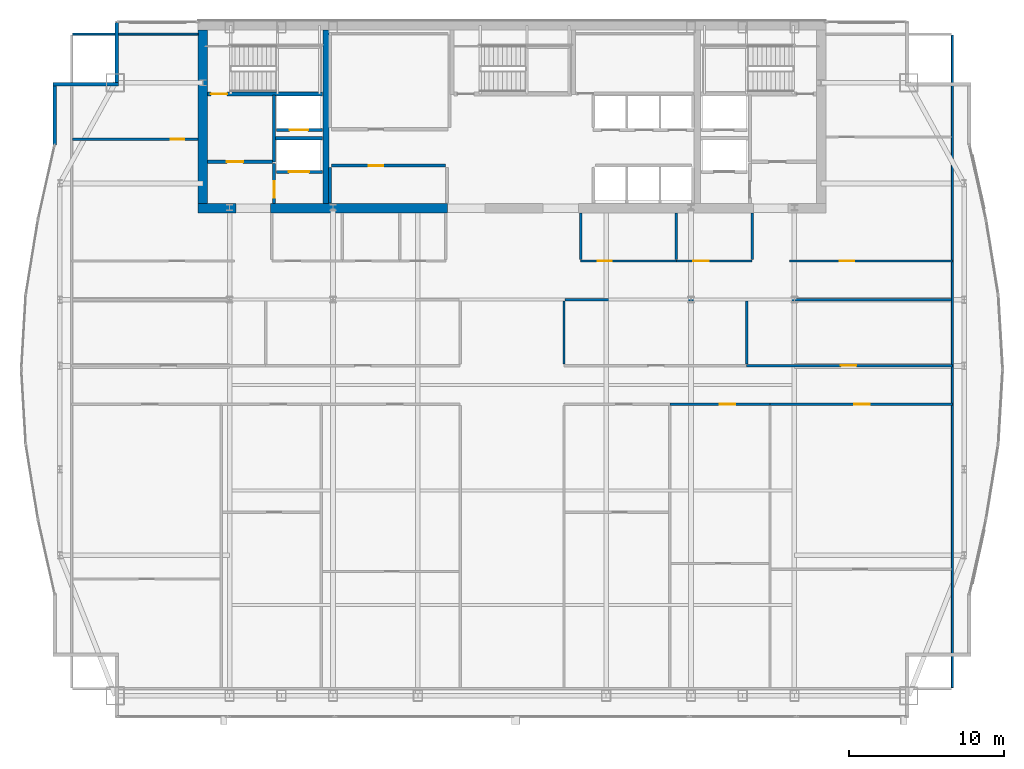
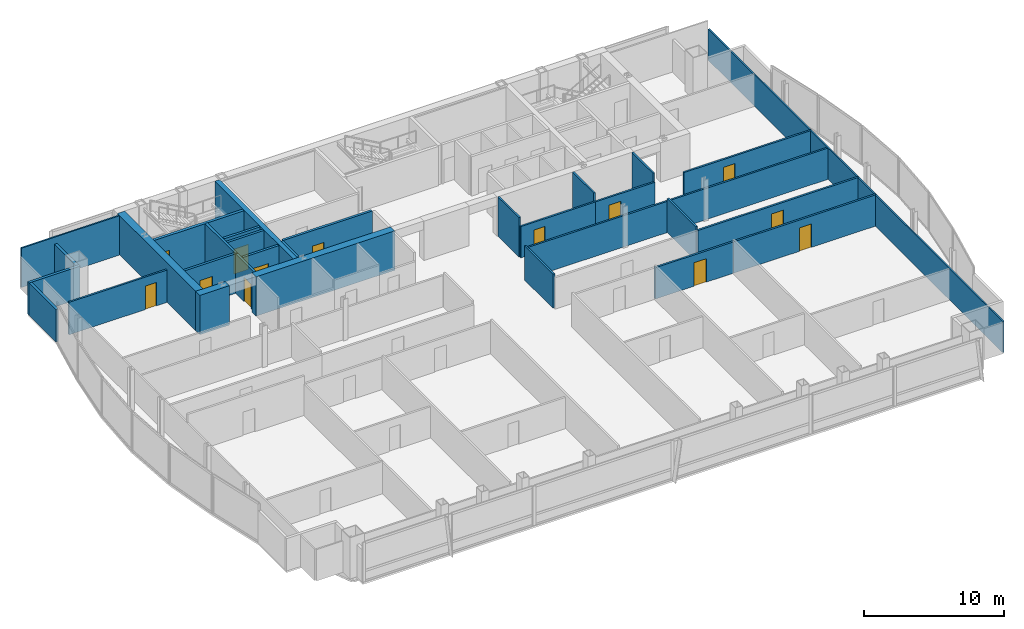
# One storey, part 26 of 30: 31 walls, 13 doors, 13 openings.
"""IFC4 building model written with IfcOpenShell, lengths in metres."""

from ifc_helpers import new_model, si_unit, direction, frame, frame_2d, origin, place, context, subcontext, project, spatial, rectangle, extrude, material, layer, layer_set, type_object, element, fill, save


model = new_model("IFC4")

# Units and contexts
model_context = context("Model", 3, precision=1e-05, world=origin(), true_north=direction((0.0, 1.0)))
body_context = subcontext(model_context, "Body", "Model", "MODEL_VIEW")
ifc_project = project(units=[si_unit("LENGTHUNIT", "METRE"), si_unit("AREAUNIT", "SQUARE_METRE"), si_unit("VOLUMEUNIT", "CUBIC_METRE"), si_unit("PLANEANGLEUNIT", "RADIAN"), si_unit("MASSUNIT", "GRAM", prefix="KILO")], contexts=[model_context])

# Site, building, storey
site_placement = place(None, origin())
site = spatial("IfcSite", under=ifc_project, at=site_placement, CompositionType="ELEMENT")
building_placement = place(site_placement, origin())
building = spatial("IfcBuilding", under=site, at=building_placement, Name="Khoronbel Lancet Exchange", CompositionType="ELEMENT")
storey_placement = place(building_placement, frame((0.0, 0.0, 213.800048828125)))
storey = spatial("IfcBuildingStorey", under=building, at=storey_placement, Name="L54", CompositionType="ELEMENT", Elevation=213.800048828125)

# Walls
ifc_material_1 = material(Name="Concrete C60/75", Category="concrete")
ifc_layer_1 = layer(ifc_material_1, 0.60009765625, Name="Concrete C60/75")
ifc_layer_set_1 = layer_set([ifc_layer_1], Name="Concrete C60/75")
wall_type_1 = type_object("IfcWallType", Name="WL-CW3", PredefinedType="SHEAR", material=ifc_layer_set_1)
wall_1_placement = place(storey_placement, frame((16.5, 41.89990234375, 0.0), z_axis=(0.0, 0.0, 1.0), x_axis=(0.0, 1.0, 0.0)))
element("IfcWall", 1, at=wall_1_placement, inside=storey, type_object=wall_type_1, Name="Level L54 rear core west shear wall", PredefinedType="SHEAR", context=body_context, shape_type="SweptSolid", body=[
    extrude(rectangle(XDim=11.2001953125, YDim=0.60009765625, at=frame_2d((5.60009765625, 0.0))), origin(), (0.0, 0.0, 1.0), 3.43994140625),
])
wall_2_placement = place(storey_placement, frame((18.64990234375, 41.60009765625, 0.0), z_axis=(0.0, 0.0, 1.0), x_axis=(-1.0, 0.0, 0.0)))
element("IfcWall", 2, at=wall_2_placement, inside=storey, type_object=wall_type_1, Name="Level L54 rear core south shear wall pier P1", PredefinedType="SHEAR", context=body_context, shape_type="SweptSolid", body=[
    extrude(rectangle(XDim=2.449951171875, YDim=0.60009765625, at=frame_2d((1.22509765625, 0.0))), origin(), (0.0, 0.0, 1.0), 3.43994140625),
])
wall_3_placement = place(storey_placement, frame((32.300048828125, 41.60009765625, 0.0), z_axis=(0.0, 0.0, 1.0), x_axis=(-1.0, 0.0, 0.0)))
element("IfcWall", 3, at=wall_3_placement, inside=storey, type_object=wall_type_1, Name="Level L54 rear core south shear wall pier P2", PredefinedType="SHEAR", context=body_context, shape_type="SweptSolid", body=[
    extrude(rectangle(XDim=11.449951171875, YDim=0.60009765625, at=frame_2d((5.72509765625, 0.0))), origin(), (0.0, 0.0, 1.0), 3.43994140625),
])
ifc_material_2 = material(Name="Precast concrete C40/50", Category="concrete")
ifc_layer_2 = layer(ifc_material_2, 0.25, Name="Precast concrete C40/50")
ifc_layer_set_2 = layer_set([ifc_layer_2], Name="Precast concrete C40/50")
wall_type_2 = type_object("IfcWallType", Name="WL-EXT250", PredefinedType="SOLIDWALL", material=ifc_layer_set_2)
wall_4_placement = place(storey_placement, frame((6.93994140625, 45.670166015625, 0.0), z_axis=(0.0, 0.0, 1.0), x_axis=(0.0, 1.0, 0.0)))
element("IfcWall", 4, at=wall_4_placement, inside=storey, type_object=wall_type_2, Name="Level L54 notched-corner limestone pier 10", PredefinedType="SOLIDWALL", context=body_context, shape_type="SweptSolid", body=[
    extrude(rectangle(XDim=3.829833984375, YDim=0.219970703125, at=frame_2d((1.9150390625, 0.0))), origin(), (0.0, 0.0, 1.0), 2.829833984375),
])
wall_5_placement = place(storey_placement, frame((6.830078125, 49.610107421875, 0.0), z_axis=(0.0, 0.0, 1.0), x_axis=(1.0, 0.0, 0.0)))
element("IfcWall", 5, at=wall_5_placement, inside=storey, type_object=wall_type_2, Name="Level L54 notched-corner limestone pier 11", PredefinedType="SOLIDWALL", context=body_context, shape_type="SweptSolid", body=[
    extrude(rectangle(XDim=4.219970703125, YDim=0.219970703125, at=frame_2d((2.10986328125, 0.0))), origin(), (0.0, 0.0, 1.0), 2.829833984375),
])
wall_6_placement = place(storey_placement, frame((10.93994140625, 49.719970703125, 0.0), z_axis=(0.0, 0.0, 1.0), x_axis=(0.0, 1.0, 0.0)))
element("IfcWall", 6, at=wall_6_placement, inside=storey, type_object=wall_type_2, Name="Level L54 notched-corner limestone pier 12", PredefinedType="SOLIDWALL", context=body_context, shape_type="SweptSolid", body=[
    extrude(rectangle(XDim=3.909912109375, YDim=0.219970703125, at=frame_2d((1.955078125, 0.0))), origin(), (0.0, 0.0, 1.0), 2.829833984375),
])
ifc_material_3 = material(Name="Acoustic Metal-Stud & Mineral-Wool Gypsum Partition 120 mm", Category="gypsum")
ifc_layer_3 = layer(ifc_material_3, 0.1201171875, Name="Acoustic Metal-Stud & Mineral-Wool Gypsum Partition 120 mm")
ifc_layer_set_3 = layer_set([ifc_layer_3], Name="Acoustic Metal-Stud & Mineral-Wool Gypsum Partition 120 mm")
wall_type_3 = type_object("IfcWallType", Name="WL-PRT120", PredefinedType="PARTITIONING", material=ifc_layer_set_3)
for number, where, z_axis, x_axis, name in (
    (7, (40.8798828125, 38.280029296875, 0.0), (0.0, 0.0, 1.0), (0.0, 1.0, 0.0), "Level L54 interior partition PW-NP-0"),
    (8, (47.050048828125, 38.280029296875, 0.0), (0.0, 0.0, 1.0), (0.0, 1.0, 0.0), "Level L54 interior partition PW-NP-M"),
    (9, (51.949951171875, 38.280029296875, 0.0), (0.0, 0.0, 1.0), (0.0, 1.0, 0.0), "Level L54 interior partition PW-NP-1"),
):
    element("IfcWall", number, at=place(storey_placement, frame(where, z_axis=z_axis, x_axis=x_axis)), inside=storey, type_object=wall_type_3, Name=name, PredefinedType="PARTITIONING", context=body_context, shape_type="SweptSolid", body=[
        extrude(rectangle(XDim=3.02001953125, YDim=0.14990234375, at=frame_2d((1.510009765625, 0.0))), origin(), (0.0, 0.0, 1.0), 3.43994140625),
    ])

# Wall, opening, door
wall_7_placement = place(storey_placement, frame((8.094970703125, 46.050048828125, 0.0), z_axis=(0.0, 0.0, 1.0), x_axis=(1.0, 0.0, 0.0)))
wall_7 = element("IfcWall", 10, at=wall_7_placement, inside=storey, type_object=wall_type_3, Name="Level L54 interior partition PW-NW-H", PredefinedType="PARTITIONING", context=body_context, shape_type="SweptSolid", body=[
    extrude(rectangle(XDim=8.10498046875, YDim=0.14990234375, at=frame_2d((4.052490234375, 0.0))), origin(), (0.0, 0.0, 1.0), 2.829833984375),
])
opening_1_placement = place(wall_7_placement, frame((6.320068359375, 0.0, 0.0)))
opening_1 = element("IfcOpeningElement", 11, at=opening_1_placement, cuts=wall_7, Name="Opening D5", PredefinedType="OPENING", context=body_context, shape_type="SweptSolid", body=[
    extrude(rectangle(XDim=0.89990234375, YDim=2.050048828125, at=frame_2d((0.449951171875, 1.02490234375))), frame((0.0, 0.0849609375, 0.0), z_axis=(0.0, -1.0, 0.0), x_axis=(1.0, 0.0, 0.0)), (0.0, 0.0, 1.0), 0.169921875),
])
ifc_material_4 = material(Name="Acoustic Timber Pantry & Support Door", Category="wood")
door_type_1 = type_object("IfcDoorType", Name="DR-D5", OperationType="NOTDEFINED", PredefinedType="DOOR", material=ifc_material_4)
door_1_placement = place(opening_1_placement, origin())
door_1 = element("IfcDoor", 12, at=door_1_placement, inside=storey, type_object=door_type_1, Name="NW north room door L54-1", OperationType="SINGLE_SWING_LEFT", OverallHeight=2.050048828125, OverallWidth=0.89990234375, PredefinedType="DOOR", context=body_context, shape_type="SweptSolid", body=[
    extrude(rectangle(XDim=0.89990234375, YDim=2.050048828125, at=frame_2d((0.449951171875, 1.02490234375))), frame((0.0, 0.02490234375, 0.0), z_axis=(0.0, -1.0, 0.0), x_axis=(1.0, 0.0, 0.0)), (0.0, 0.0, 1.0), 0.050048828125),
])
fill(opening_1, door_1)

# Walls
wall_8_placement = place(storey_placement, frame((64.8701171875, 10.6650390625, 0.0), z_axis=(0.0, 0.0, 1.0), x_axis=(0.0, 1.0, 0.0)))
element("IfcWall", 13, at=wall_8_placement, inside=storey, type_object=wall_type_3, Name="Level L54 interior partition PW-LIN-E", PredefinedType="PARTITIONING", context=body_context, shape_type="SweptSolid", body=[
    extrude(rectangle(XDim=42.10986328125, YDim=0.1201171875, at=frame_2d((21.054931640625, 0.0))), origin(), (0.0, 0.0, 1.0), 2.72998046875),
])
wall_9_placement = place(storey_placement, frame((8.094970703125, 52.840087890625, 0.0), z_axis=(0.0, 0.0, 1.0), x_axis=(1.0, 0.0, 0.0)))
element("IfcWall", 14, at=wall_9_placement, inside=storey, type_object=wall_type_3, Name="Level L54 interior partition PW-LIN-NW", PredefinedType="PARTITIONING", context=body_context, shape_type="SweptSolid", body=[
    extrude(rectangle(XDim=8.10498046875, YDim=0.1201171875, at=frame_2d((4.052490234375, 0.0))), origin(), (0.0, 0.0, 1.0), 3.43994140625),
])

# Wall, opening, door
ifc_material_5 = material(Name="Fire-Rated Twin-Stud Acoustic Gypsum Partition 150 mm", Category="gypsum")
ifc_layer_4 = layer(ifc_material_5, 0.14990234375, Name="Fire-Rated Twin-Stud Acoustic Gypsum Partition 150 mm")
ifc_layer_set_4 = layer_set([ifc_layer_4], Name="Fire-Rated Twin-Stud Acoustic Gypsum Partition 150 mm")
wall_type_4 = type_object("IfcWallType", Name="WL-PRT150C", PredefinedType="PARTITIONING", material=ifc_layer_set_4)
wall_10_placement = place(storey_placement, frame((40.8798828125, 38.199951171875, 0.0), z_axis=(0.0, 0.0, 1.0), x_axis=(1.0, 0.0, 0.0)))
wall_10 = element("IfcWall", 15, at=wall_10_placement, inside=storey, type_object=wall_type_4, Name="Level L54 interior partition PW-NP-S1", PredefinedType="PARTITIONING", context=body_context, shape_type="SweptSolid", body=[
    extrude(rectangle(XDim=6.170166015625, YDim=0.14990234375, at=frame_2d((3.0849609375, 0.0))), origin(), (0.0, 0.0, 1.0), 2.72998046875),
])
opening_2_placement = place(wall_10_placement, frame((1.10009765625, 0.0, 0.0)))
opening_2 = element("IfcOpeningElement", 16, at=opening_2_placement, cuts=wall_10, Name="Opening D5", PredefinedType="OPENING", context=body_context, shape_type="SweptSolid", body=[
    extrude(rectangle(XDim=0.89990234375, YDim=2.050048828125, at=frame_2d((0.449951171875, 1.02490234375))), frame((0.0, 0.0849609375, 0.0), z_axis=(0.0, -1.0, 0.0), x_axis=(1.0, 0.0, 0.0)), (0.0, 0.0, 1.0), 0.169921875),
])
door_2_placement = place(opening_2_placement, origin())
door_2 = element("IfcDoor", 17, at=door_2_placement, inside=storey, type_object=door_type_1, Name="Floor refreshment pantry door L54-1", OperationType="SINGLE_SWING_LEFT", OverallHeight=2.050048828125, OverallWidth=0.89990234375, PredefinedType="DOOR", context=body_context, shape_type="SweptSolid", body=[
    extrude(rectangle(XDim=0.89990234375, YDim=2.050048828125, at=frame_2d((0.449951171875, 1.02490234375))), frame((0.0, 0.02490234375, 0.0), z_axis=(0.0, -1.0, 0.0), x_axis=(1.0, 0.0, 0.0)), (0.0, 0.0, 1.0), 0.050048828125),
])
fill(opening_2, door_2)

wall_11_placement = place(storey_placement, frame((47.050048828125, 38.199951171875, 0.0), z_axis=(0.0, 0.0, 1.0), x_axis=(1.0, 0.0, 0.0)))
wall_11 = element("IfcWall", 18, at=wall_11_placement, inside=storey, type_object=wall_type_4, Name="Level L54 interior partition PW-NP-S2", PredefinedType="PARTITIONING", context=body_context, shape_type="SweptSolid", body=[
    extrude(rectangle(XDim=4.89990234375, YDim=0.14990234375, at=frame_2d((2.449951171875, 0.0))), origin(), (0.0, 0.0, 1.0), 2.72998046875),
])
opening_3_placement = place(wall_11_placement, frame((1.10009765625, 0.0, 0.0)))
opening_3 = element("IfcOpeningElement", 19, at=opening_3_placement, cuts=wall_11, Name="Opening D2", PredefinedType="OPENING", context=body_context, shape_type="SweptSolid", body=[
    extrude(rectangle(XDim=1.0, YDim=2.050048828125, at=frame_2d((0.5, 1.02490234375))), frame((0.0, 0.0849609375, 0.0), z_axis=(0.0, -1.0, 0.0), x_axis=(1.0, 0.0, 0.0)), (0.0, 0.0, 1.0), 0.169921875),
])
ifc_material_6 = material(Name="Acoustic Veneered Timber & Bronze Frame Door", Category="wood")
door_type_2 = type_object("IfcDoorType", Name="DR-D2", OperationType="NOTDEFINED", PredefinedType="DOOR", material=ifc_material_6)
door_3_placement = place(opening_3_placement, origin())
door_3 = element("IfcDoor", 20, at=door_3_placement, inside=storey, type_object=door_type_2, Name="Floor store door L54-1", OperationType="SINGLE_SWING_RIGHT", OverallHeight=2.050048828125, OverallWidth=1.0, PredefinedType="DOOR", context=body_context, shape_type="SweptSolid", body=[
    extrude(rectangle(XDim=1.0, YDim=2.050048828125, at=frame_2d((0.5, 1.02490234375))), frame((0.0, 0.02490234375, 0.0), z_axis=(0.0, -1.0, 0.0), x_axis=(1.0, 0.0, 0.0)), (0.0, 0.0, 1.0), 0.050048828125),
])
fill(opening_3, door_3)

wall_12_placement = place(storey_placement, frame((54.35009765625, 38.199951171875, 0.0), z_axis=(0.0, 0.0, 1.0), x_axis=(1.0, 0.0, 0.0)))
wall_12 = element("IfcWall", 21, at=wall_12_placement, inside=storey, type_object=wall_type_4, Name="Level L54 interior partition PW-NE-S", PredefinedType="PARTITIONING", context=body_context, shape_type="SweptSolid", body=[
    extrude(rectangle(XDim=10.52001953125, YDim=0.14990234375, at=frame_2d((5.260009765625, 0.0))), origin(), (0.0, 0.0, 1.0), 2.72998046875),
])
opening_4_placement = place(wall_12_placement, frame((3.25, 0.0, 0.0)))
opening_4 = element("IfcOpeningElement", 22, at=opening_4_placement, cuts=wall_12, Name="Opening D1", PredefinedType="OPENING", context=body_context, shape_type="SweptSolid", body=[
    extrude(rectangle(XDim=0.949951171875, YDim=2.050048828125, at=frame_2d((0.47509765625, 1.02490234375))), frame((0.0, 0.0849609375, 0.0), z_axis=(0.0, -1.0, 0.0), x_axis=(1.0, 0.0, 0.0)), (0.0, 0.0, 1.0), 0.169921875),
])
door_type_3 = type_object("IfcDoorType", Name="DR-D1", OperationType="NOTDEFINED", PredefinedType="DOOR", material=ifc_material_6)
door_4_placement = place(opening_4_placement, origin())
door_4 = element("IfcDoor", 23, at=door_4_placement, inside=storey, type_object=door_type_3, Name="NE corner room door L54-1", OperationType="SINGLE_SWING_RIGHT", OverallHeight=2.050048828125, OverallWidth=0.949951171875, PredefinedType="DOOR", context=body_context, shape_type="SweptSolid", body=[
    extrude(rectangle(XDim=0.949951171875, YDim=2.050048828125, at=frame_2d((0.47509765625, 1.02490234375))), frame((0.0, 0.02490234375, 0.0), z_axis=(0.0, -1.0, 0.0), x_axis=(1.0, 0.0, 0.0)), (0.0, 0.0, 1.0), 0.050048828125),
])
fill(opening_4, door_4)

# Walls
wall_13_placement = place(storey_placement, frame((39.800048828125, 31.534912109375, 0.0), z_axis=(0.0, 0.0, 1.0), x_axis=(0.0, 1.0, 0.0)))
element("IfcWall", 24, at=wall_13_placement, inside=storey, type_object=wall_type_4, Name="Level L54 interior partition PW-Z3-CE2", PredefinedType="PARTITIONING", context=body_context, shape_type="SweptSolid", body=[
    extrude(rectangle(XDim=4.085205078125, YDim=0.14990234375, at=frame_2d((2.04248046875, 0.0))), origin(), (0.0, 0.0, 1.0), 2.97998046875),
])
wall_14_placement = place(storey_placement, frame((39.8798828125, 35.699951171875, 0.0), z_axis=(0.0, 0.0, 1.0), x_axis=(1.0, 0.0, 0.0)))
element("IfcWall", 25, at=wall_14_placement, inside=storey, type_object=wall_type_4, Name="Level L54 interior partition PW-Z3-EN", PredefinedType="PARTITIONING", context=body_context, shape_type="SweptSolid", body=[
    extrude(rectangle(XDim=24.925048828125, YDim=0.14990234375, at=frame_2d((12.46240234375, 0.0))), origin(), (0.0, 0.0, 1.0), 2.72998046875),
])
wall_15_placement = place(storey_placement, frame((51.59765625, 31.534912109375, 0.0), z_axis=(0.0, 0.0, 1.0), x_axis=(0.0, 1.0, 0.0)))
element("IfcWall", 26, at=wall_15_placement, inside=storey, type_object=wall_type_4, Name="Level L54 interior partition PW-Z3NE-V1", PredefinedType="PARTITIONING", context=body_context, shape_type="SweptSolid", body=[
    extrude(rectangle(XDim=4.085205078125, YDim=0.14990234375, at=frame_2d((2.04248046875, 0.0))), origin(), (0.0, 0.0, 1.0), 2.97998046875),
])

# Wall, opening, door
ifc_material_7 = material(Name="Fire-Rated Twin-Stud Acoustic Gypsum Partition 160 mm", Category="gypsum")
ifc_layer_5 = layer(ifc_material_7, 0.159912109375, Name="Fire-Rated Twin-Stud Acoustic Gypsum Partition 160 mm")
ifc_layer_set_5 = layer_set([ifc_layer_5], Name="Fire-Rated Twin-Stud Acoustic Gypsum Partition 160 mm")
wall_type_5 = type_object("IfcWallType", Name="WL-PRT160C", PredefinedType="PARTITIONING", material=ifc_layer_set_5)
wall_16_placement = place(storey_placement, frame((46.63720703125, 28.949951171875, 0.0), z_axis=(0.0, 0.0, 1.0), x_axis=(1.0, 0.0, 0.0)))
wall_16 = element("IfcWall", 27, at=wall_16_placement, inside=storey, type_object=wall_type_5, Name="Level L54 interior partition PW-Z3SE-COR2", PredefinedType="PARTITIONING", context=body_context, shape_type="SweptSolid", body=[
    extrude(rectangle(XDim=6.45751953125, YDim=0.159912109375, at=frame_2d((3.228759765625, 0.0))), origin(), (0.0, 0.0, 1.0), 2.72998046875),
])
opening_5_placement = place(wall_16_placement, frame((3.212158203125, 0.0, 0.0)))
opening_5 = element("IfcOpeningElement", 28, at=opening_5_placement, cuts=wall_16, Name="Opening D2", PredefinedType="OPENING", context=body_context, shape_type="SweptSolid", body=[
    extrude(rectangle(XDim=1.0, YDim=2.050048828125, at=frame_2d((0.5, 1.02490234375))), frame((0.0, 0.08984375, 0.0), z_axis=(0.0, -1.0, 0.0), x_axis=(1.0, 0.0, 0.0)), (0.0, 0.0, 1.0), 0.179931640625),
])
door_5_placement = place(opening_5_placement, origin())
door_5 = element("IfcDoor", 29, at=door_5_placement, inside=storey, type_object=door_type_2, Name="Z3SE bay 2 door L54-1", OperationType="SINGLE_SWING_LEFT", OverallHeight=2.050048828125, OverallWidth=1.0, PredefinedType="DOOR", context=body_context, shape_type="SweptSolid", body=[
    extrude(rectangle(XDim=1.0, YDim=2.050048828125, at=frame_2d((0.5, 1.02490234375))), frame((0.0, 0.02490234375, 0.0), z_axis=(0.0, -1.0, 0.0), x_axis=(1.0, 0.0, 0.0)), (0.0, 0.0, 1.0), 0.050048828125),
])
fill(opening_5, door_5)

wall_17_placement = place(storey_placement, frame((53.0947265625, 28.949951171875, 0.0), z_axis=(0.0, 0.0, 1.0), x_axis=(1.0, 0.0, 0.0)))
wall_17 = element("IfcWall", 30, at=wall_17_placement, inside=storey, type_object=wall_type_5, Name="Level L54 interior partition PW-Z3SE-COR3", PredefinedType="PARTITIONING", context=body_context, shape_type="SweptSolid", body=[
    extrude(rectangle(XDim=11.775390625, YDim=0.159912109375, at=frame_2d((5.8876953125, 0.0))), origin(), (0.0, 0.0, 1.0), 2.72998046875),
])
opening_6_placement = place(wall_17_placement, frame((5.445556640625, 0.0, 0.0)))
opening_6 = element("IfcOpeningElement", 31, at=opening_6_placement, cuts=wall_17, Name="Opening D2", PredefinedType="OPENING", context=body_context, shape_type="SweptSolid", body=[
    extrude(rectangle(XDim=1.0, YDim=2.050048828125, at=frame_2d((0.5, 1.02490234375))), frame((0.0, 0.08984375, 0.0), z_axis=(0.0, -1.0, 0.0), x_axis=(1.0, 0.0, 0.0)), (0.0, 0.0, 1.0), 0.179931640625),
])
door_6_placement = place(opening_6_placement, origin())
door_6 = element("IfcDoor", 32, at=door_6_placement, inside=storey, type_object=door_type_2, Name="Z3SE bay 3 door L54-1", OperationType="SINGLE_SWING_LEFT", OverallHeight=2.050048828125, OverallWidth=1.0, PredefinedType="DOOR", context=body_context, shape_type="SweptSolid", body=[
    extrude(rectangle(XDim=1.0, YDim=2.050048828125, at=frame_2d((0.5, 1.02490234375))), frame((0.0, 0.02490234375, 0.0), z_axis=(0.0, -1.0, 0.0), x_axis=(1.0, 0.0, 0.0)), (0.0, 0.0, 1.0), 0.050048828125),
])
fill(opening_6, door_6)

wall_18_placement = place(storey_placement, frame((51.59765625, 31.449951171875, 0.0), z_axis=(0.0, 0.0, 1.0), x_axis=(1.0, 0.0, 0.0)))
wall_18 = element("IfcWall", 33, at=wall_18_placement, inside=storey, type_object=wall_type_5, Name="Level L54 interior partition PW-Z3NE-COR2", PredefinedType="PARTITIONING", context=body_context, shape_type="SweptSolid", body=[
    extrude(rectangle(XDim=13.2724609375, YDim=0.159912109375, at=frame_2d((6.63623046875, 0.0))), origin(), (0.0, 0.0, 1.0), 2.72998046875),
])
opening_7_placement = place(wall_18_placement, frame((6.074462890625, 0.0, 0.0)))
opening_7 = element("IfcOpeningElement", 34, at=opening_7_placement, cuts=wall_18, Name="Opening D2", PredefinedType="OPENING", context=body_context, shape_type="SweptSolid", body=[
    extrude(rectangle(XDim=1.0, YDim=2.050048828125, at=frame_2d((0.5, 1.02490234375))), frame((0.0, 0.08984375, 0.0), z_axis=(0.0, -1.0, 0.0), x_axis=(1.0, 0.0, 0.0)), (0.0, 0.0, 1.0), 0.179931640625),
])
door_7_placement = place(opening_7_placement, origin())
door_7 = element("IfcDoor", 35, at=door_7_placement, inside=storey, type_object=door_type_2, Name="Z3NE bay 2 door L54-1", OperationType="SINGLE_SWING_RIGHT", OverallHeight=2.050048828125, OverallWidth=1.0, PredefinedType="DOOR", context=body_context, shape_type="SweptSolid", body=[
    extrude(rectangle(XDim=1.0, YDim=2.050048828125, at=frame_2d((0.5, 1.02490234375))), frame((0.0, 0.02490234375, 0.0), z_axis=(0.0, -1.0, 0.0), x_axis=(1.0, 0.0, 0.0)), (0.0, 0.0, 1.0), 0.050048828125),
])
fill(opening_7, door_7)

ifc_material_8 = material(Name="Autoclaved Aerated Concrete Blockwork 200 mm", Category="masonry")
ifc_layer_6 = layer(ifc_material_8, 0.199951171875, Name="Autoclaved Aerated Concrete Blockwork 200 mm")
ifc_layer_set_6 = layer_set([ifc_layer_6], Name="Autoclaved Aerated Concrete Blockwork 200 mm")
wall_type_6 = type_object("IfcWallType", Name="WL-PRT200", PredefinedType="PARTITIONING", material=ifc_layer_set_6)
wall_19_placement = place(storey_placement, frame((24.2099609375, 43.949951171875, 0.0), z_axis=(0.0, 0.0, 1.0), x_axis=(-1.0, 0.0, 0.0)))
wall_19 = element("IfcWall", 36, at=wall_19_placement, inside=storey, type_object=wall_type_6, Name="Level L54 elevator hoistway landing front wall SVLW", PredefinedType="PARTITIONING", context=body_context, shape_type="SweptSolid", body=[
    extrude(rectangle(XDim=2.969970703125, YDim=0.199951171875, at=frame_2d((1.48486328125, 0.0))), origin(), (0.0, 0.0, 1.0), 3.43994140625),
])
opening_8_placement = place(wall_19_placement, frame((0.860107421875, 0.0, 0.0)))
opening_8 = element("IfcOpeningElement", 37, at=opening_8_placement, cuts=wall_19, Name="Opening LD-SVL1", PredefinedType="OPENING", context=body_context, shape_type="SweptSolid", body=[
    extrude(rectangle(XDim=1.300048828125, YDim=2.179931640625, at=frame_2d((0.64990234375, 1.08984375))), frame((0.0, 0.10986328125, 0.0), z_axis=(0.0, -1.0, 0.0), x_axis=(1.0, 0.0, 0.0)), (0.0, 0.0, 1.0), 0.219970703125),
])
ifc_material_9 = material(Name="Heavy-Duty Bi-Parting Goods Lift Landing Door", Category="steel")
door_type_4 = type_object("IfcDoorType", Name="DR-LD-SVL", OperationType="NOTDEFINED", PredefinedType="DOOR", material=ifc_material_9)
door_8_placement = place(opening_8_placement, origin())
door_8 = element("IfcDoor", 38, at=door_8_placement, inside=storey, type_object=door_type_4, Name="Elevator landing sliding door LD-SVL1 L54", OperationType="SLIDING_TO_LEFT", OverallHeight=2.179931640625, OverallWidth=1.300048828125, PredefinedType="DOOR", context=body_context, shape_type="SweptSolid", body=[
    extrude(rectangle(XDim=1.300048828125, YDim=2.179931640625, at=frame_2d((0.64990234375, 1.08984375))), frame((0.0, 0.02490234375, 0.0), z_axis=(0.0, -1.0, 0.0), x_axis=(1.0, 0.0, 0.0)), (0.0, 0.0, 1.0), 0.050048828125),
])
fill(opening_8, door_8)

wall_20_placement = place(storey_placement, frame((24.2099609375, 46.64990234375, 0.0), z_axis=(0.0, 0.0, 1.0), x_axis=(-1.0, 0.0, 0.0)))
wall_20 = element("IfcWall", 39, at=wall_20_placement, inside=storey, type_object=wall_type_6, Name="Level L54 elevator hoistway landing front wall FFLW", PredefinedType="PARTITIONING", context=body_context, shape_type="SweptSolid", body=[
    extrude(rectangle(XDim=2.969970703125, YDim=0.199951171875, at=frame_2d((1.48486328125, 0.0))), origin(), (0.0, 0.0, 1.0), 3.43994140625),
])
opening_9_placement = place(wall_20_placement, frame((0.909912109375, 0.0, 0.0)))
opening_9 = element("IfcOpeningElement", 40, at=opening_9_placement, cuts=wall_20, Name="Opening LD-FFL1", PredefinedType="OPENING", context=body_context, shape_type="SweptSolid", body=[
    extrude(rectangle(XDim=1.199951171875, YDim=2.179931640625, at=frame_2d((0.60009765625, 1.08984375))), frame((0.0, 0.10986328125, 0.0), z_axis=(0.0, -1.0, 0.0), x_axis=(1.0, 0.0, 0.0)), (0.0, 0.0, 1.0), 0.219970703125),
])
ifc_material_10 = material(Name="Fire-Rated Stainless Bi-Parting Firefighting Lift Door", Category="steel")
door_type_5 = type_object("IfcDoorType", Name="DR-LD-FFL", OperationType="NOTDEFINED", PredefinedType="DOOR", material=ifc_material_10)
door_9_placement = place(opening_9_placement, origin())
door_9 = element("IfcDoor", 41, at=door_9_placement, inside=storey, type_object=door_type_5, Name="Elevator landing sliding door LD-FFL1 L54", OperationType="SLIDING_TO_LEFT", OverallHeight=2.179931640625, OverallWidth=1.199951171875, PredefinedType="DOOR", context=body_context, shape_type="SweptSolid", body=[
    extrude(rectangle(XDim=1.199951171875, YDim=2.179931640625, at=frame_2d((0.60009765625, 1.08984375))), frame((0.0, 0.02490234375, 0.0), z_axis=(0.0, -1.0, 0.0), x_axis=(1.0, 0.0, 0.0)), (0.0, 0.0, 1.0), 0.050048828125),
])
fill(opening_9, door_9)

# Wall
wall_21_placement = place(storey_placement, frame((21.10009765625, 44.60009765625, 0.0), z_axis=(0.0, 0.0, 1.0), x_axis=(0.0, 1.0, 0.0)))
element("IfcWall", 42, at=wall_21_placement, inside=storey, type_object=wall_type_6, Name="Level L54 interior partition CW-FFLW-E", PredefinedType="PARTITIONING", context=body_context, shape_type="SweptSolid", body=[
    extrude(rectangle(XDim=4.2998046875, YDim=0.199951171875, at=frame_2d((2.14990234375, 0.0))), origin(), (0.0, 0.0, 1.0), 3.43994140625),
])

# Wall, opening, door
wall_22_placement = place(storey_placement, frame((16.800048828125, 44.60009765625, 0.0), z_axis=(0.0, 0.0, 1.0), x_axis=(1.0, 0.0, 0.0)))
wall_22 = element("IfcWall", 43, at=wall_22_placement, inside=storey, type_object=wall_type_6, Name="Level L54 interior partition CW-FFLW-S", PredefinedType="PARTITIONING", context=body_context, shape_type="SweptSolid", body=[
    extrude(rectangle(XDim=4.199951171875, YDim=0.199951171875, at=frame_2d((2.10009765625, 0.0))), origin(), (0.0, 0.0, 1.0), 3.43994140625),
])
opening_10_placement = place(wall_22_placement, frame((1.25, 0.0, 0.0)))
opening_10 = element("IfcOpeningElement", 44, at=opening_10_placement, cuts=wall_22, Name="Opening FD1", PredefinedType="OPENING", context=body_context, shape_type="SweptSolid", body=[
    extrude(rectangle(XDim=1.050048828125, YDim=2.14990234375, at=frame_2d((0.52490234375, 1.074951171875))), frame((0.0, 0.10986328125, 0.0), z_axis=(0.0, -1.0, 0.0), x_axis=(1.0, 0.0, 0.0)), (0.0, 0.0, 1.0), 0.219970703125),
])
ifc_material_11 = material(Name="Fire-Rated Painted Steel Door Assembly", Category="steel")
door_type_6 = type_object("IfcDoorType", Name="DR-FD1", OperationType="NOTDEFINED", PredefinedType="DOOR", material=ifc_material_11)
door_10_placement = place(opening_10_placement, origin())
door_10 = element("IfcDoor", 45, at=door_10_placement, inside=storey, type_object=door_type_6, Name="West firefighting lobby FD90S door L54-1", OperationType="SINGLE_SWING_LEFT", OverallHeight=2.14990234375, OverallWidth=1.050048828125, PredefinedType="DOOR", context=body_context, shape_type="SweptSolid", body=[
    extrude(rectangle(XDim=1.050048828125, YDim=2.14990234375, at=frame_2d((0.52490234375, 1.074951171875))), frame((0.0, 0.02490234375, 0.0), z_axis=(0.0, -1.0, 0.0), x_axis=(1.0, 0.0, 0.0)), (0.0, 0.0, 1.0), 0.050048828125),
])
fill(opening_10, door_10)

# Wall
wall_23_placement = place(storey_placement, frame((21.199951171875, 46.1201171875, 0.0), z_axis=(0.0, 0.0, 1.0), x_axis=(1.0, 0.0, 0.0)))
element("IfcWall", 46, at=wall_23_placement, inside=storey, type_object=wall_type_6, Name="Level L54 interior partition CW-FFL1-S", PredefinedType="PARTITIONING", context=body_context, shape_type="SweptSolid", body=[
    extrude(rectangle(XDim=3.02001953125, YDim=0.199951171875, at=frame_2d((1.510009765625, 0.0))), origin(), (0.0, 0.0, 1.0), 3.43994140625),
])

# Wall, opening, door
wall_24_placement = place(storey_placement, frame((21.10009765625, 41.89990234375, 0.0), z_axis=(0.0, 0.0, 1.0), x_axis=(0.0, 1.0, 0.0)))
wall_24 = element("IfcWall", 47, at=wall_24_placement, inside=storey, type_object=wall_type_6, Name="Level L54 interior partition CW-SVLW-W", PredefinedType="PARTITIONING", context=body_context, shape_type="SweptSolid", body=[
    extrude(rectangle(XDim=2.59521484375, YDim=0.199951171875, at=frame_2d((1.297607421875, 0.0))), origin(), (0.0, 0.0, 1.0), 3.43994140625),
])
opening_11_placement = place(wall_24_placement, frame((0.3798828125, 0.0, 0.0)))
opening_11 = element("IfcOpeningElement", 48, at=opening_11_placement, cuts=wall_24, Name="Opening FD1", PredefinedType="OPENING", context=body_context, shape_type="SweptSolid", body=[
    extrude(rectangle(XDim=1.050048828125, YDim=2.14990234375, at=frame_2d((0.52490234375, 1.074951171875))), frame((0.0, 0.10986328125, 0.0), z_axis=(0.0, -1.0, 0.0), x_axis=(1.0, 0.0, 0.0)), (0.0, 0.0, 1.0), 0.219970703125),
])
door_11_placement = place(opening_11_placement, origin())
door_11 = element("IfcDoor", 49, at=door_11_placement, inside=storey, type_object=door_type_6, Name="West service lift lobby door L54-1", OperationType="SINGLE_SWING_RIGHT", OverallHeight=2.14990234375, OverallWidth=1.050048828125, PredefinedType="DOOR", context=body_context, shape_type="SweptSolid", body=[
    extrude(rectangle(XDim=1.050048828125, YDim=2.14990234375, at=frame_2d((0.52490234375, 1.074951171875))), frame((0.0, 0.02490234375, 0.0), z_axis=(0.0, -1.0, 0.0), x_axis=(1.0, 0.0, 0.0)), (0.0, 0.0, 1.0), 0.050048828125),
])
fill(opening_11, door_11)

# Wall
wall_25_placement = place(storey_placement, frame((24.699951171875, 41.949951171875, 0.0), z_axis=(0.0, 0.0, 1.0), x_axis=(0.0, 1.0, 0.0)))
element("IfcWall", 50, at=wall_25_placement, inside=storey, type_object=wall_type_6, Name="Level L54 interior partition CW-PM-RW", PredefinedType="PARTITIONING", context=body_context, shape_type="SweptSolid", body=[
    extrude(rectangle(XDim=2.295166015625, YDim=0.199951171875, at=frame_2d((1.1474609375, 0.0))), origin(), (0.0, 0.0, 1.0), 3.43994140625),
])

# Wall, opening, door
wall_26_placement = place(storey_placement, frame((24.804931640625, 44.35009765625, 0.0), z_axis=(0.0, 0.0, 1.0), x_axis=(1.0, 0.0, 0.0)))
wall_26 = element("IfcWall", 51, at=wall_26_placement, inside=storey, type_object=wall_type_6, Name="Level L54 interior partition CW-PM-RF", PredefinedType="PARTITIONING", context=body_context, shape_type="SweptSolid", body=[
    extrude(rectangle(XDim=7.340087890625, YDim=0.199951171875, at=frame_2d((3.669921875, 0.0))), origin(), (0.0, 0.0, 1.0), 3.43994140625),
])
opening_12_placement = place(wall_26_placement, frame((2.39990234375, 0.0, 0.0)))
opening_12 = element("IfcOpeningElement", 52, at=opening_12_placement, cuts=wall_26, Name="Opening FD3", PredefinedType="OPENING", context=body_context, shape_type="SweptSolid", body=[
    extrude(rectangle(XDim=0.949951171875, YDim=2.10009765625, at=frame_2d((0.47509765625, 1.050048828125))), frame((0.0, 0.10986328125, 0.0), z_axis=(0.0, -1.0, 0.0), x_axis=(1.0, 0.0, 0.0)), (0.0, 0.0, 1.0), 0.219970703125),
])
ifc_material_12 = material(Name="Fire-Rated Steel Plant & Riser Door Assembly", Category="steel")
door_type_7 = type_object("IfcDoorType", Name="DR-FD3", OperationType="NOTDEFINED", PredefinedType="DOOR", material=ifc_material_12)
door_12_placement = place(opening_12_placement, origin())
door_12 = element("IfcDoor", 53, at=door_12_placement, inside=storey, type_object=door_type_7, Name="Reclaimed PM room door L54-1", OperationType="SINGLE_SWING_RIGHT", OverallHeight=2.10009765625, OverallWidth=0.949951171875, PredefinedType="DOOR", context=body_context, shape_type="SweptSolid", body=[
    extrude(rectangle(XDim=0.949951171875, YDim=2.10009765625, at=frame_2d((0.47509765625, 1.050048828125))), frame((0.0, 0.02490234375, 0.0), z_axis=(0.0, -1.0, 0.0), x_axis=(1.0, 0.0, 0.0)), (0.0, 0.0, 1.0), 0.050048828125),
])
fill(opening_12, door_12)

# Wall
ifc_layer_7 = layer(ifc_material_1, 0.39990234375, Name="Concrete C60/75")
ifc_layer_set_7 = layer_set([ifc_layer_7], Name="Concrete C60/75")
wall_type_7 = type_object("IfcWallType", Name="WL-SW2", PredefinedType="SHEAR", material=ifc_layer_set_7)
wall_27_placement = place(storey_placement, frame((24.449951171875, 41.89990234375, 0.0), z_axis=(0.0, 0.0, 1.0), x_axis=(0.0, 1.0, 0.0)))
element("IfcWall", 54, at=wall_27_placement, inside=storey, type_object=wall_type_7, Name="Level L54 rear core internal spine shear wall IW", PredefinedType="SHEAR", context=body_context, shape_type="SweptSolid", body=[
    extrude(rectangle(XDim=11.2001953125, YDim=0.39990234375, at=frame_2d((5.60009765625, 0.0))), origin(), (0.0, 0.0, 1.0), 3.43994140625),
])

# Wall, opening, door
ifc_layer_8 = layer(ifc_material_1, 0.260009765625, Name="Concrete C60/75")
ifc_layer_set_8 = layer_set([ifc_layer_8], Name="Concrete C60/75")
wall_type_8 = type_object("IfcWallType", Name="WL-SW3", PredefinedType="SHEAR", material=ifc_layer_set_8)
wall_28_placement = place(storey_placement, frame((16.800048828125, 48.97998046875, 0.0), z_axis=(0.0, 0.0, 1.0), x_axis=(1.0, 0.0, 0.0)))
wall_28 = element("IfcWall", 55, at=wall_28_placement, inside=storey, type_object=wall_type_8, Name="Level L54 west stairwell structural south wall", PredefinedType="SHEAR", context=body_context, shape_type="SweptSolid", body=[
    extrude(rectangle(XDim=7.419921875, YDim=0.239990234375, at=frame_2d((3.7099609375, 0.0))), origin(), (0.0, 0.0, 1.0), 3.43994140625),
])
opening_13_placement = place(wall_28_placement, frame((0.219970703125, 0.0, 0.0)))
opening_13 = element("IfcOpeningElement", 56, at=opening_13_placement, cuts=wall_28, Name="Opening SD1", PredefinedType="OPENING", context=body_context, shape_type="SweptSolid", body=[
    extrude(rectangle(XDim=1.050048828125, YDim=2.14990234375, at=frame_2d((0.52490234375, 1.074951171875))), frame((0.0, 0.1298828125, 0.0), z_axis=(0.0, -1.0, 0.0), x_axis=(1.0, 0.0, 0.0)), (0.0, 0.0, 1.0), 0.260009765625),
])
ifc_material_13 = material(Name="Fire-Rated Steel Stairwell Door Assembly", Category="steel")
door_type_8 = type_object("IfcDoorType", Name="DR-SD1", OperationType="NOTDEFINED", PredefinedType="DOOR", material=ifc_material_13)
door_13_placement = place(opening_13_placement, origin())
door_13 = element("IfcDoor", 57, at=door_13_placement, inside=storey, type_object=door_type_8, Name="Protected exit stair ST1 door L54", OperationType="SINGLE_SWING_LEFT", OverallHeight=2.14990234375, OverallWidth=1.050048828125, PredefinedType="DOOR", context=body_context, shape_type="SweptSolid", body=[
    extrude(rectangle(XDim=1.050048828125, YDim=2.14990234375, at=frame_2d((0.52490234375, 1.074951171875))), frame((0.0, 0.02490234375, 0.0), z_axis=(0.0, -1.0, 0.0), x_axis=(1.0, 0.0, 0.0)), (0.0, 0.0, 1.0), 0.050048828125),
])
fill(opening_13, door_13)

save(model, "model.ifc")
